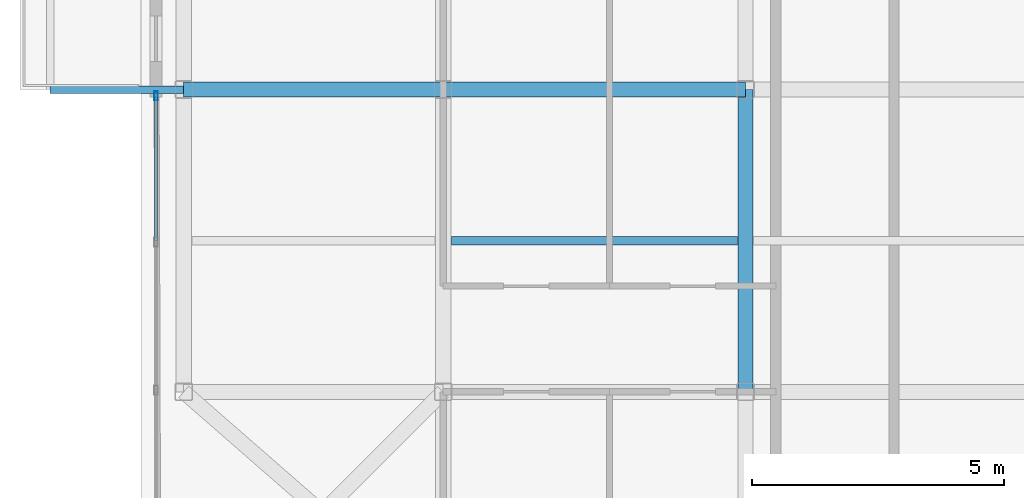
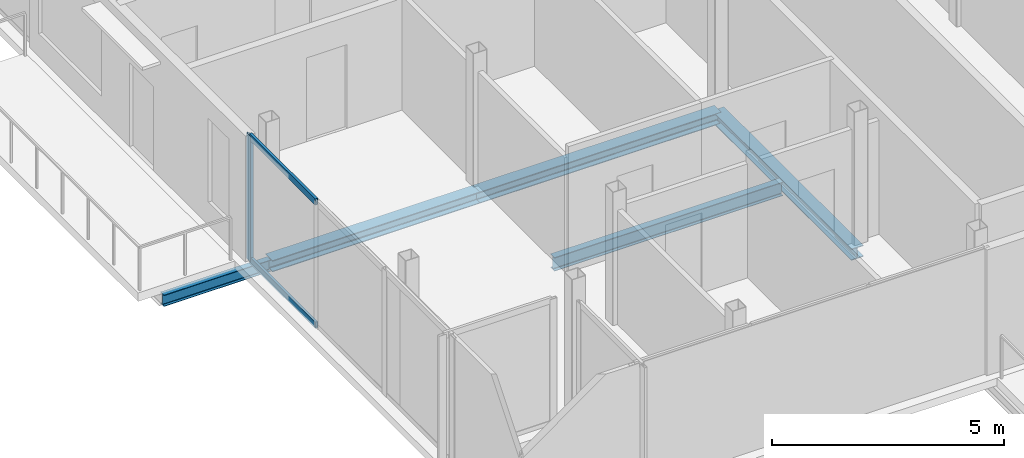
# One storey, part 3 of 18: 5 beams, 3 members, 1 element without a shape of its own.
"""IFC4 building model written with IfcOpenShell, lengths in metres."""

from ifc_helpers import new_model, si_unit, direction, frame, origin, origin_2d, place, context, subcontext, project, spatial, hollow_rectangle, i_section, extrude, material, layer, layer_set, material_profile, profile_set, type_object, element, aggregate, save


model = new_model("IFC4")

# Units and contexts
model_context = context("Model", 3, precision=1e-05, world=origin(), true_north=direction((0.0, 1.0)))
body_context = subcontext(model_context, "Body", "Model", "MODEL_VIEW")
ifc_project = project(units=[si_unit("LENGTHUNIT", "METRE"), si_unit("AREAUNIT", "SQUARE_METRE"), si_unit("VOLUMEUNIT", "CUBIC_METRE"), si_unit("PLANEANGLEUNIT", "RADIAN"), si_unit("MASSUNIT", "GRAM", prefix="KILO"), si_unit("THERMODYNAMICTEMPERATUREUNIT", "KELVIN"), si_unit("POWERUNIT", "WATT")], contexts=[model_context])

# Site, building, storey
site_placement = place(None, origin())
site = spatial("IfcSite", under=ifc_project, at=site_placement, CompositionType="ELEMENT")
building_placement = place(site_placement, origin())
building = spatial("IfcBuilding", under=site, at=building_placement, Name="Svarakhadi Broadcast Tower", CompositionType="ELEMENT")
storey_placement = place(building_placement, frame((0.0, 0.0, 253.699951171875)))
storey = spatial("IfcBuildingStorey", under=building, at=storey_placement, Name="L63", CompositionType="ELEMENT", Elevation=253.699951171875)

# Beam
ifc_material_1 = material(Name="Steel S355J2 (IS 2062 E350C)", Category="steel")
ifc_material_profile_1 = material_profile(ifc_material_1, i_section(OverallWidth=0.169921875, OverallDepth=0.360107421875, WebThickness=0.008056640625, FlangeThickness=0.0126953125, FilletRadius=0.01806640625, at=origin_2d()), Name="NPB 360x170x57")
ifc_profile_set_1 = profile_set([ifc_material_profile_1], Name="Steel S355J2 (IS 2062 E350C)")
beam_type_1 = type_object("IfcBeamType", Name="Beam_NPB360", PredefinedType="BEAM", material=ifc_profile_set_1)
beam_1_placement = place(storey_placement, frame((6.159912109375, 9.0, -0.3798828125), z_axis=(1.0, 0.0, 0.0), x_axis=(0.0, 1.0, 0.0)))
element("IfcBeam", 1, at=beam_1_placement, inside=storey, type_object=beam_type_1, Name="L63 Secondary Composite Beam SB005", PredefinedType="BEAM", context=body_context, shape_type="SweptSolid", body=[
    extrude(i_section(OverallWidth=0.169921875, OverallDepth=0.360107421875, WebThickness=0.008056640625, FlangeThickness=0.0126953125, FilletRadius=0.01806640625, at=origin_2d()), origin(), (0.0, 0.0, 1.0), 5.68017578125),
])

# Curtain wall, members
ifc_material_2 = material(Name="Anodised Bronze Aluminium AA 6063-T6", Category="aluminium")
ifc_layer = layer(ifc_material_2, 0.179931640625)
ifc_layer_set = layer_set([ifc_layer], Name="Anodised Bronze Aluminium AA 6063-T6")
curtain_wall_type = type_object("IfcCurtainWallType", Name="CW_Sys_05", PredefinedType="NOTDEFINED", material=ifc_layer_set)
curtain_wall_placement = place(storey_placement, origin())
curtain_wall = element("IfcCurtainWall", 2, at=curtain_wall_placement, inside=storey, type_object=curtain_wall_type, Name="L63 West Curtain Wall 02", PredefinedType="NOTDEFINED")
ifc_material_profile_2 = material_profile(ifc_material_2, hollow_rectangle(XDim=0.070068359375, YDim=0.179931640625, WallThickness=0.005615234375, at=origin_2d()), Name="ALU MULLION 180x70x6")
ifc_profile_set_2 = profile_set([ifc_material_profile_2], Name="Anodised Bronze Aluminium AA 6063-T6")
member_type_1 = type_object("IfcMemberType", Name="CW_Sys_05_Mul", PredefinedType="MULLION", material=ifc_profile_set_2)
member_1_placement = place(storey_placement, frame((0.300048828125, 11.875, 0.0), z_axis=(0.0, 0.0, 1.0), x_axis=(-1.0, 0.0, 0.0)))
member_1 = element("IfcMember", 3, at=member_1_placement, type_object=member_type_1, Name="CW-05 mullion 4", PredefinedType="MULLION", context=body_context, shape_type="SweptSolid", body=[
    extrude(hollow_rectangle(XDim=0.070068359375, YDim=0.179931640625, WallThickness=0.005615234375, at=origin_2d()), origin(), (0.0, 0.0, 1.0), 3.300048828125),
])
ifc_material_profile_3 = material_profile(ifc_material_2, hollow_rectangle(XDim=0.06494140625, YDim=0.1650390625, WallThickness=0.0048828125, at=origin_2d()), Name="ALU TRANSOM 165x65x5")
ifc_profile_set_3 = profile_set([ifc_material_profile_3], Name="Anodised Bronze Aluminium AA 6063-T6")
member_type_2 = type_object("IfcMemberType", Name="CW_Sys_05_Trn", PredefinedType="USERDEFINED", material=ifc_profile_set_3)
member_2_placement = place(storey_placement, frame((0.300048828125, 9.0048828125, 0.032470703125), z_axis=(0.0, 1.0, 0.0), x_axis=(-1.0, 0.0, 0.0)))
member_2 = element("IfcMember", 4, at=member_2_placement, type_object=member_type_2, Name="CW-05 transom 3.1", ObjectType="TRANSOM", PredefinedType="USERDEFINED", context=body_context, shape_type="SweptSolid", body=[
    extrude(hollow_rectangle(XDim=0.06494140625, YDim=0.1650390625, WallThickness=0.0048828125, at=origin_2d()), origin(), (0.0, 0.0, 1.0), 2.835205078125),
])
member_3_placement = place(storey_placement, frame((0.300048828125, 9.0048828125, 3.267578125), z_axis=(0.0, 1.0, 0.0), x_axis=(-1.0, 0.0, 0.0)))
member_3 = element("IfcMember", 5, at=member_3_placement, type_object=member_type_2, Name="CW-05 transom 3.2", ObjectType="TRANSOM", PredefinedType="USERDEFINED", context=body_context, shape_type="SweptSolid", body=[
    extrude(hollow_rectangle(XDim=0.06494140625, YDim=0.1650390625, WallThickness=0.0048828125, at=origin_2d()), origin(), (0.0, 0.0, 1.0), 2.835205078125),
])
aggregate(curtain_wall, [member_1, member_2, member_3])

# Beams
ifc_material_profile_4 = material_profile(ifc_material_1, i_section(OverallWidth=0.300048828125, OverallDepth=0.300048828125, WebThickness=0.010986328125, FlangeThickness=0.01904296875, FilletRadius=0.027099609375, at=origin_2d()), Name="WPB 300x300x117")
ifc_profile_set_4 = profile_set([ifc_material_profile_4], Name="Steel S355J2 (IS 2062 E350C)")
beam_type_2 = type_object("IfcBeamType", Name="Girder_WPB300", PredefinedType="USERDEFINED", material=ifc_profile_set_4)
beam_2_placement = place(storey_placement, frame((0.85009765625, 12.0, -0.349853515625), z_axis=(1.0, 0.0, 0.0), x_axis=(0.0, 1.0, 0.0)))
element("IfcBeam", 6, at=beam_2_placement, inside=storey, type_object=beam_type_2, Name="L63 Primary E-W Girder G013", ObjectType="GIRDER", PredefinedType="USERDEFINED", context=body_context, shape_type="SweptSolid", body=[
    extrude(i_section(OverallWidth=0.300048828125, OverallDepth=0.300048828125, WebThickness=0.010986328125, FlangeThickness=0.01904296875, FilletRadius=0.027099609375, at=origin_2d()), origin(), (0.0, 0.0, 1.0), 5.14990234375),
])
for number, where, z_axis, x_axis, name in (
    (7, (6.0, 12.0, -0.349853515625), (1.0, 0.0, 0.0), (0.0, 1.0, 0.0), "L63 Primary E-W Girder G014"),
    (8, (12.0, 6.0, -0.349853515625), (0.0, 1.0, 0.0), (-1.0, 0.0, 0.0), "L63 Primary N-S Girder G034"),
):
    element("IfcBeam", number, at=place(storey_placement, frame(where, z_axis=z_axis, x_axis=x_axis)), inside=storey, type_object=beam_type_2, Name=name, ObjectType="GIRDER", PredefinedType="USERDEFINED", context=body_context, shape_type="SweptSolid", body=[
        extrude(i_section(OverallWidth=0.300048828125, OverallDepth=0.300048828125, WebThickness=0.010986328125, FlangeThickness=0.01904296875, FilletRadius=0.027099609375, at=origin_2d()), origin(), (0.0, 0.0, 1.0), 6.0),
    ])
ifc_material_profile_5 = material_profile(ifc_material_1, i_section(OverallWidth=0.14990234375, OverallDepth=0.300048828125, WebThickness=0.007080078125, FlangeThickness=0.0107421875, FilletRadius=0.014892578125, at=origin_2d()), Name="NPB 300x150x37")
ifc_profile_set_5 = profile_set([ifc_material_profile_5], Name="Steel S355J2 (IS 2062 E350C)")
beam_type_3 = type_object("IfcBeamType", Name="Spandrel_NPB300", PredefinedType="SPANDREL", material=ifc_profile_set_5)
beam_3_placement = place(storey_placement, frame((0.85009765625, 12.0, -0.375), z_axis=(-1.0, 0.0, 0.0), x_axis=(0.0, -1.0, 0.0)))
element("IfcBeam", 9, at=beam_3_placement, inside=storey, type_object=beam_type_3, Name="L63 Balcony Cantilever Bracket 2A", PredefinedType="SPANDREL", context=body_context, shape_type="SweptSolid", body=[
    extrude(i_section(OverallWidth=0.14990234375, OverallDepth=0.300048828125, WebThickness=0.007080078125, FlangeThickness=0.0107421875, FilletRadius=0.014892578125, at=origin_2d()), origin(), (0.0, 0.0, 1.0), 2.650146484375),
])

save(model, "model.ifc")
